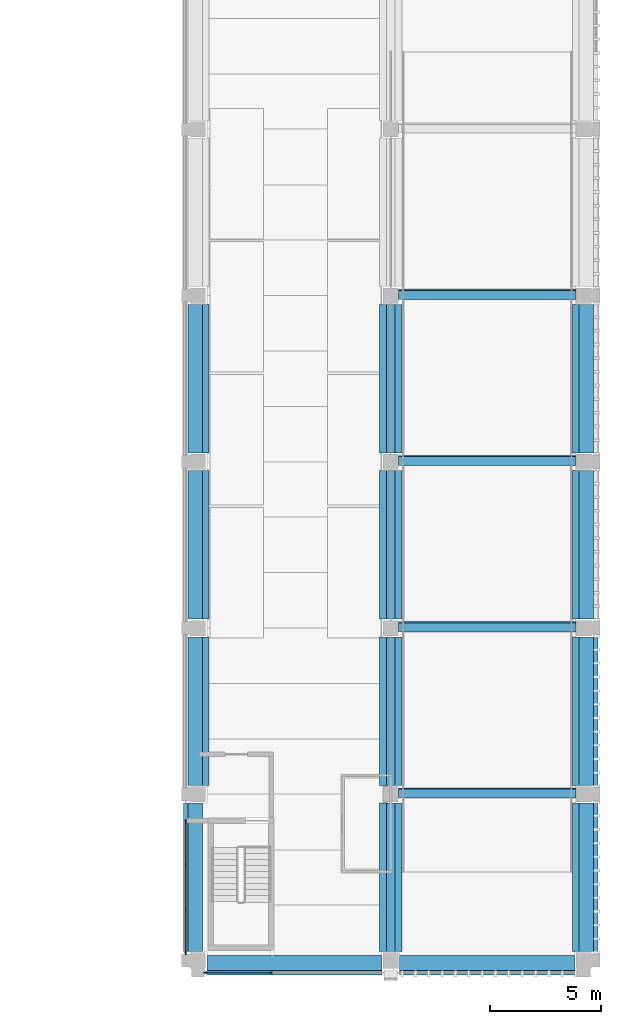
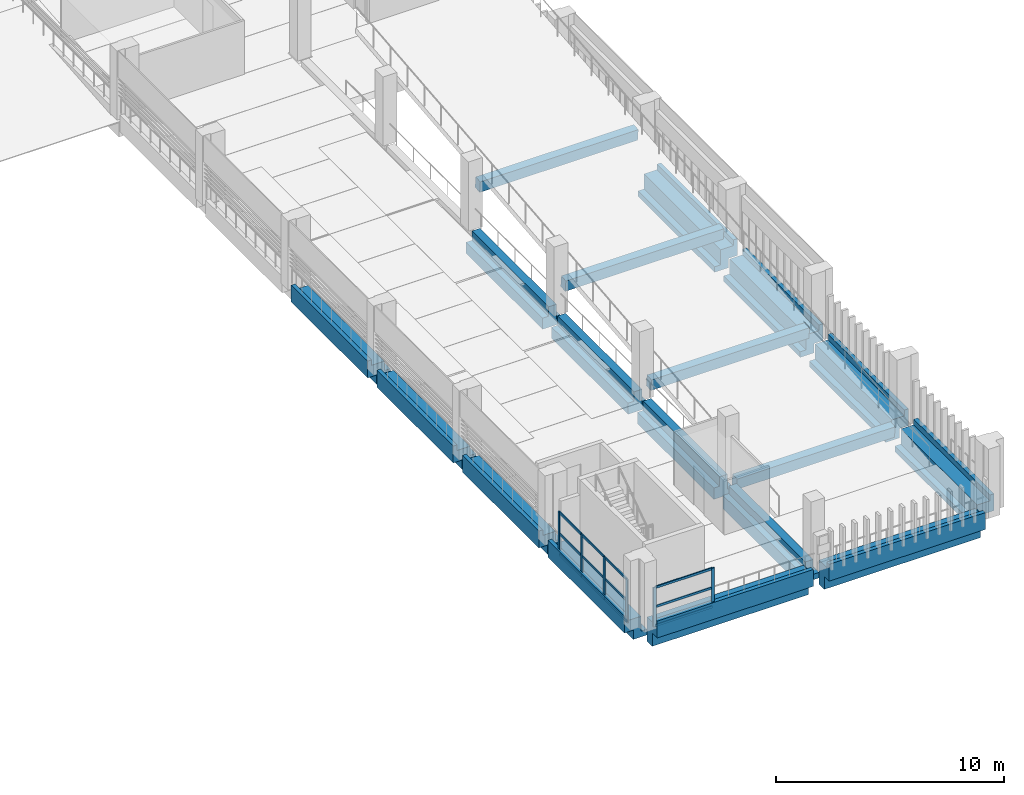
# One storey, part 6 of 24: 18 beams, 18 members, 2 elements without a shape of their own.
"""IFC4 building model written with IfcOpenShell, lengths in metres."""

from ifc_helpers import new_model, si_unit, direction, frame, origin, origin_2d, place, context, subcontext, project, spatial, polyline, rectangle, outline, extrude, material, layer, layer_set, material_profile, profile_set, type_object, element, aggregate, save


model = new_model("IFC4")

# Units and contexts
model_context = context("Model", 3, precision=1e-05, world=origin(), true_north=direction((0.0, 1.0)))
body_context = subcontext(model_context, "Body", "Model", "MODEL_VIEW")
ifc_project = project(units=[si_unit("LENGTHUNIT", "METRE"), si_unit("AREAUNIT", "SQUARE_METRE"), si_unit("VOLUMEUNIT", "CUBIC_METRE"), si_unit("PLANEANGLEUNIT", "RADIAN"), si_unit("MASSUNIT", "GRAM", prefix="KILO")], contexts=[model_context])

# Site, building, storey
site_placement = place(None, origin())
site = spatial("IfcSite", under=ifc_project, at=site_placement, CompositionType="ELEMENT")
building_placement = place(site_placement, origin())
building = spatial("IfcBuilding", under=site, at=building_placement, Name="Cour d'Honneur Mobility Palace", CompositionType="ELEMENT")
storey_placement = place(building_placement, frame((0.0, 0.0, 26.699951171875)))
storey = spatial("IfcBuildingStorey", under=building, at=storey_placement, Name="L07", CompositionType="ELEMENT", Elevation=26.699951171875)

# Curtain wall, members
ifc_material_1 = material(Name="Aluminium and glass", Category="aluminium")
ifc_layer = layer(ifc_material_1, 0.10009765625)
ifc_layer_set = layer_set([ifc_layer], Name="Aluminium and glass")
curtain_wall_type = type_object("IfcCurtainWallType", Name="Curtain wall run", PredefinedType="NOTDEFINED", material=ifc_layer_set)
curtain_wall_1_placement = place(storey_placement, origin())
curtain_wall_1 = element("IfcCurtainWall", 1, at=curtain_wall_1_placement, inside=storey, type_object=curtain_wall_type, Name="Curtain wall CW-147", PredefinedType="NOTDEFINED")
ifc_material_2 = material(Name="Aluminium", Category="aluminium")
ifc_material_profile_1 = material_profile(ifc_material_2, rectangle(XDim=0.06005859375, YDim=0.159912109375, at=origin_2d()), Name="Curtain wall mullion")
ifc_profile_set_1 = profile_set([ifc_material_profile_1], Name="Aluminium")
member_type_1 = type_object("IfcMemberType", Name="Curtain wall mullion", PredefinedType="MULLION", material=ifc_profile_set_1)
member_1_placement = place(storey_placement, frame((145.22998046875, -0.550048828125, 0.0), z_axis=(0.0, 0.0, 1.0), x_axis=(0.0, 1.0, 0.0)))
member_1 = element("IfcMember", 2, at=member_1_placement, type_object=member_type_1, Name="CW-147 mullion 1", PredefinedType="MULLION", context=body_context, shape_type="SweptSolid", body=[
    extrude(rectangle(XDim=0.06005859375, YDim=0.159912109375, at=origin_2d()), origin(), (0.0, 0.0, 1.0), 2.10009765625),
])
member_2_placement = place(storey_placement, frame((148.169921875, -0.550048828125, 0.0), z_axis=(0.0, 0.0, 1.0), x_axis=(0.0, 1.0, 0.0)))
member_2 = element("IfcMember", 3, at=member_2_placement, type_object=member_type_1, Name="CW-147 mullion 2", PredefinedType="MULLION", context=body_context, shape_type="SweptSolid", body=[
    extrude(rectangle(XDim=0.06005859375, YDim=0.159912109375, at=origin_2d()), origin(), (0.0, 0.0, 1.0), 2.10009765625),
])

curtain_wall_2_placement = place(storey_placement, origin())
curtain_wall_2 = element("IfcCurtainWall", 4, at=curtain_wall_2_placement, inside=storey, type_object=curtain_wall_type, Name="Curtain wall CW-148", PredefinedType="NOTDEFINED")
member_3_placement = place(storey_placement, frame((144.35009765625, 6.27001953125, 0.0), z_axis=(0.0, 0.0, 1.0), x_axis=(1.0, 0.0, 0.0)))
member_3 = element("IfcMember", 5, at=member_3_placement, type_object=member_type_1, Name="CW-148 mullion 1", PredefinedType="MULLION", context=body_context, shape_type="SweptSolid", body=[
    extrude(rectangle(XDim=0.06005859375, YDim=0.159912109375, at=origin_2d()), origin(), (0.0, 0.0, 1.0), 2.300048828125),
])
member_4_placement = place(storey_placement, frame((144.35009765625, 4.300048828125, 0.0), z_axis=(0.0, 0.0, 1.0), x_axis=(1.0, 0.0, 0.0)))
member_4 = element("IfcMember", 6, at=member_4_placement, type_object=member_type_1, Name="CW-148 mullion 2", PredefinedType="MULLION", context=body_context, shape_type="SweptSolid", body=[
    extrude(rectangle(XDim=0.06005859375, YDim=0.159912109375, at=origin_2d()), origin(), (0.0, 0.0, 1.0), 2.300048828125),
])
member_5_placement = place(storey_placement, frame((144.35009765625, 2.300048828125, 0.0), z_axis=(0.0, 0.0, 1.0), x_axis=(1.0, 0.0, 0.0)))
member_5 = element("IfcMember", 7, at=member_5_placement, type_object=member_type_1, Name="CW-148 mullion 3", PredefinedType="MULLION", context=body_context, shape_type="SweptSolid", body=[
    extrude(rectangle(XDim=0.06005859375, YDim=0.159912109375, at=origin_2d()), origin(), (0.0, 0.0, 1.0), 2.300048828125),
])
member_6_placement = place(storey_placement, frame((144.35009765625, 0.330078125, 0.0), z_axis=(0.0, 0.0, 1.0), x_axis=(1.0, 0.0, 0.0)))
member_6 = element("IfcMember", 8, at=member_6_placement, type_object=member_type_1, Name="CW-148 mullion 4", PredefinedType="MULLION", context=body_context, shape_type="SweptSolid", body=[
    extrude(rectangle(XDim=0.06005859375, YDim=0.159912109375, at=origin_2d()), origin(), (0.0, 0.0, 1.0), 2.300048828125),
])

# Member
ifc_material_3 = material(Name="Aluminium", Category="aluminium")
ifc_material_profile_2 = material_profile(ifc_material_3, rectangle(XDim=0.06005859375, YDim=0.1201171875, at=origin_2d()), Name="Curtain wall transom")
ifc_profile_set_2 = profile_set([ifc_material_profile_2], Name="Aluminium")
member_type_2 = type_object("IfcMemberType", Name="Curtain wall transom", PredefinedType="USERDEFINED", material=ifc_profile_set_2)
member_7_placement = place(storey_placement, frame((145.260009765625, -0.550048828125, 0.030029296875), z_axis=(1.0, 0.0, 0.0), x_axis=(0.0, 1.0, 0.0)))
member_7 = element("IfcMember", 9, at=member_7_placement, type_object=member_type_2, Name="CW-147 transom 1.1", ObjectType="TRANSOM", PredefinedType="USERDEFINED", context=body_context, shape_type="SweptSolid", body=[
    extrude(rectangle(XDim=0.06005859375, YDim=0.1201171875, at=origin_2d()), origin(), (0.0, 0.0, 1.0), 2.8798828125),
])

member_8_placement = place(storey_placement, frame((145.260009765625, -0.550048828125, 1.050048828125), z_axis=(1.0, 0.0, 0.0), x_axis=(0.0, 1.0, 0.0)))
member_8 = element("IfcMember", 10, at=member_8_placement, type_object=member_type_2, Name="CW-147 transom 1.2", ObjectType="TRANSOM", PredefinedType="USERDEFINED", context=body_context, shape_type="SweptSolid", body=[
    extrude(rectangle(XDim=0.06005859375, YDim=0.1201171875, at=origin_2d()), origin(), (0.0, 0.0, 1.0), 2.8798828125),
])

member_9_placement = place(storey_placement, frame((145.260009765625, -0.550048828125, 2.070068359375), z_axis=(1.0, 0.0, 0.0), x_axis=(0.0, 1.0, 0.0)))
member_9 = element("IfcMember", 11, at=member_9_placement, type_object=member_type_2, Name="CW-147 transom 1.3", ObjectType="TRANSOM", PredefinedType="USERDEFINED", context=body_context, shape_type="SweptSolid", body=[
    extrude(rectangle(XDim=0.06005859375, YDim=0.1201171875, at=origin_2d()), origin(), (0.0, 0.0, 1.0), 2.8798828125),
])

aggregate(curtain_wall_1, [member_1, member_2, member_7, member_8, member_9])

member_10_placement = place(storey_placement, frame((144.35009765625, 6.239990234375, 0.030029296875), z_axis=(0.0, -1.0, 0.0), x_axis=(1.0, 0.0, 0.0)))
member_10 = element("IfcMember", 12, at=member_10_placement, type_object=member_type_2, Name="CW-148 transom 1.1", ObjectType="TRANSOM", PredefinedType="USERDEFINED", context=body_context, shape_type="SweptSolid", body=[
    extrude(rectangle(XDim=0.06005859375, YDim=0.1201171875, at=origin_2d()), origin(), (0.0, 0.0, 1.0), 1.909912109375),
])

member_11_placement = place(storey_placement, frame((144.35009765625, 6.239990234375, 1.150146484375), z_axis=(0.0, -1.0, 0.0), x_axis=(1.0, 0.0, 0.0)))
member_11 = element("IfcMember", 13, at=member_11_placement, type_object=member_type_2, Name="CW-148 transom 1.2", ObjectType="TRANSOM", PredefinedType="USERDEFINED", context=body_context, shape_type="SweptSolid", body=[
    extrude(rectangle(XDim=0.06005859375, YDim=0.1201171875, at=origin_2d()), origin(), (0.0, 0.0, 1.0), 1.909912109375),
])

member_12_placement = place(storey_placement, frame((144.35009765625, 6.239990234375, 2.27001953125), z_axis=(0.0, -1.0, 0.0), x_axis=(1.0, 0.0, 0.0)))
member_12 = element("IfcMember", 14, at=member_12_placement, type_object=member_type_2, Name="CW-148 transom 1.3", ObjectType="TRANSOM", PredefinedType="USERDEFINED", context=body_context, shape_type="SweptSolid", body=[
    extrude(rectangle(XDim=0.06005859375, YDim=0.1201171875, at=origin_2d()), origin(), (0.0, 0.0, 1.0), 1.909912109375),
])

member_13_placement = place(storey_placement, frame((144.35009765625, 4.27001953125, 0.030029296875), z_axis=(0.0, -1.0, 0.0), x_axis=(1.0, 0.0, 0.0)))
member_13 = element("IfcMember", 15, at=member_13_placement, type_object=member_type_2, Name="CW-148 transom 2.1", ObjectType="TRANSOM", PredefinedType="USERDEFINED", context=body_context, shape_type="SweptSolid", body=[
    extrude(rectangle(XDim=0.06005859375, YDim=0.1201171875, at=origin_2d()), origin(), (0.0, 0.0, 1.0), 1.93994140625),
])

member_14_placement = place(storey_placement, frame((144.35009765625, 4.27001953125, 1.150146484375), z_axis=(0.0, -1.0, 0.0), x_axis=(1.0, 0.0, 0.0)))
member_14 = element("IfcMember", 16, at=member_14_placement, type_object=member_type_2, Name="CW-148 transom 2.2", ObjectType="TRANSOM", PredefinedType="USERDEFINED", context=body_context, shape_type="SweptSolid", body=[
    extrude(rectangle(XDim=0.06005859375, YDim=0.1201171875, at=origin_2d()), origin(), (0.0, 0.0, 1.0), 1.93994140625),
])

member_15_placement = place(storey_placement, frame((144.35009765625, 4.27001953125, 2.27001953125), z_axis=(0.0, -1.0, 0.0), x_axis=(1.0, 0.0, 0.0)))
member_15 = element("IfcMember", 17, at=member_15_placement, type_object=member_type_2, Name="CW-148 transom 2.3", ObjectType="TRANSOM", PredefinedType="USERDEFINED", context=body_context, shape_type="SweptSolid", body=[
    extrude(rectangle(XDim=0.06005859375, YDim=0.1201171875, at=origin_2d()), origin(), (0.0, 0.0, 1.0), 1.93994140625),
])

member_16_placement = place(storey_placement, frame((144.35009765625, 2.27001953125, 0.030029296875), z_axis=(0.0, -1.0, 0.0), x_axis=(1.0, 0.0, 0.0)))
member_16 = element("IfcMember", 18, at=member_16_placement, type_object=member_type_2, Name="CW-148 transom 3.1", ObjectType="TRANSOM", PredefinedType="USERDEFINED", context=body_context, shape_type="SweptSolid", body=[
    extrude(rectangle(XDim=0.06005859375, YDim=0.1201171875, at=origin_2d()), origin(), (0.0, 0.0, 1.0), 1.909912109375),
])

member_17_placement = place(storey_placement, frame((144.35009765625, 2.27001953125, 1.150146484375), z_axis=(0.0, -1.0, 0.0), x_axis=(1.0, 0.0, 0.0)))
member_17 = element("IfcMember", 19, at=member_17_placement, type_object=member_type_2, Name="CW-148 transom 3.2", ObjectType="TRANSOM", PredefinedType="USERDEFINED", context=body_context, shape_type="SweptSolid", body=[
    extrude(rectangle(XDim=0.06005859375, YDim=0.1201171875, at=origin_2d()), origin(), (0.0, 0.0, 1.0), 1.909912109375),
])

member_18_placement = place(storey_placement, frame((144.35009765625, 2.27001953125, 2.27001953125), z_axis=(0.0, -1.0, 0.0), x_axis=(1.0, 0.0, 0.0)))
member_18 = element("IfcMember", 20, at=member_18_placement, type_object=member_type_2, Name="CW-148 transom 3.3", ObjectType="TRANSOM", PredefinedType="USERDEFINED", context=body_context, shape_type="SweptSolid", body=[
    extrude(rectangle(XDim=0.06005859375, YDim=0.1201171875, at=origin_2d()), origin(), (0.0, 0.0, 1.0), 1.909912109375),
])

aggregate(curtain_wall_2, [member_3, member_4, member_5, member_6, member_10, member_11, member_12, member_13, member_14, member_15, member_16, member_17, member_18])

# Beams
ifc_material_4 = material(Name="Concrete C45", Category="concrete")
ifc_material_profile_3 = material_profile(ifc_material_4, outline(polyline([(0.22509765625, -1.300048828125), (0.22509765625, 0.0), (-0.22509765625, 0.0), (-0.449951171875, 0.0), (-0.449951171875, 0.300048828125), (-0.64990234375, 0.300048828125), (-0.64990234375, -0.60009765625), (-0.22509765625, -0.60009765625), (-0.22509765625, -1.300048828125), (0.22509765625, -1.300048828125)])), Name="Edge Spandrel Beam 450x1300 no ledge facade right")
ifc_profile_set_3 = profile_set([ifc_material_profile_3], Name="Concrete C45")
beam_type_1 = type_object("IfcBeamType", Name="Edge Spandrel Beam 450x1300 no ledge facade right", PredefinedType="SPANDREL", material=ifc_profile_set_3)
for number, where, z_axis, x_axis, name in (
    (21, (145.300048828125, 0.0, 0.0), (1.0, 0.0, 0.0), (0.0, 1.0, 0.0), "Precast beam B1 19-19A L07"),
    (22, (154.0, 0.0, 0.0), (1.0, 0.0, 0.0), (0.0, 1.0, 0.0), "Precast beam B1 19A-20 L07"),
):
    element("IfcBeam", number, at=place(storey_placement, frame(where, z_axis=z_axis, x_axis=x_axis)), inside=storey, type_object=beam_type_1, Name=name, PredefinedType="SPANDREL", context=body_context, shape_type="SweptSolid", body=[
        extrude(outline(polyline([(0.22509765625, -1.300048828125), (0.22509765625, 0.0), (-0.22509765625, 0.0), (-0.449951171875, 0.0), (-0.449951171875, 0.300048828125), (-0.64990234375, 0.300048828125), (-0.64990234375, -0.60009765625), (-0.22509765625, -0.60009765625), (-0.22509765625, -1.300048828125), (0.22509765625, -1.300048828125)])), origin(), (0.0, 0.0, 1.0), 7.89990234375),
    ])
ifc_material_5 = material(Name="Concrete C45", Category="concrete")
ifc_material_profile_4 = material_profile(ifc_material_5, outline(polyline([(0.5, -1.10009765625), (0.5, -0.5), (0.199951171875, -0.5), (0.199951171875, 0.0), (-0.199951171875, 0.0), (-0.199951171875, -0.800048828125), (-0.5, -0.800048828125), (-0.5, -1.10009765625), (0.5, -1.10009765625)])), Name="Inverted Tee Beam 400x1100 ledges 600/300 plain")
ifc_profile_set_4 = profile_set([ifc_material_profile_4], Name="Concrete C45")
beam_type_2 = type_object("IfcBeamType", Name="Inverted Tee Beam 400x1100 ledges 600/300 plain", PredefinedType="T_BEAM", material=ifc_profile_set_4)
for number, where, z_axis, x_axis, name in (
    (23, (153.60009765625, 7.89990234375, 0.0), (0.0, 1.0, 0.0), (-1.0, 0.0, 0.0), "Precast beam B19 B-C L07"),
    (24, (153.60009765625, 15.39990234375, 0.0), (0.0, 1.0, 0.0), (-1.0, 0.0, 0.0), "Precast beam B19 C-D L07"),
    (25, (153.60009765625, 22.89990234375, 0.0), (0.0, 1.0, 0.0), (-1.0, 0.0, 0.0), "Precast beam B19 D-E L07"),
):
    element("IfcBeam", number, at=place(storey_placement, frame(where, z_axis=z_axis, x_axis=x_axis)), inside=storey, type_object=beam_type_2, Name=name, PredefinedType="T_BEAM", context=body_context, shape_type="SweptSolid", body=[
        extrude(outline(polyline([(0.5, -1.10009765625), (0.5, -0.5), (0.199951171875, -0.5), (0.199951171875, 0.0), (-0.199951171875, 0.0), (-0.199951171875, -0.800048828125), (-0.5, -0.800048828125), (-0.5, -1.10009765625), (0.5, -1.10009765625)])), origin(), (0.0, 0.0, 1.0), 6.7001953125),
    ])
ifc_material_6 = material(Name="Concrete C45", Category="concrete")
ifc_material_profile_5 = material_profile(ifc_material_6, outline(polyline([(0.5, -1.10009765625), (0.5, -0.39990234375), (0.199951171875, -0.39990234375), (0.199951171875, 0.0), (-0.199951171875, 0.0), (-0.199951171875, -0.800048828125), (-0.5, -0.800048828125), (-0.5, -1.10009765625), (0.5, -1.10009765625)])), Name="Inverted Tee Beam 400x1100 ledges 700/300 plain")
ifc_profile_set_5 = profile_set([ifc_material_profile_5], Name="Concrete C45")
beam_type_3 = type_object("IfcBeamType", Name="Inverted Tee Beam 400x1100 ledges 700/300 plain", PredefinedType="T_BEAM", material=ifc_profile_set_5)
beam_1_placement = place(storey_placement, frame((153.60009765625, 0.39990234375, 0.0), z_axis=(0.0, 1.0, 0.0), x_axis=(-1.0, 0.0, 0.0)))
element("IfcBeam", 26, at=beam_1_placement, inside=storey, type_object=beam_type_3, Name="Precast beam B18 A-B L07", PredefinedType="T_BEAM", context=body_context, shape_type="SweptSolid", body=[
    extrude(outline(polyline([(0.5, -1.10009765625), (0.5, -0.39990234375), (0.199951171875, -0.39990234375), (0.199951171875, 0.0), (-0.199951171875, 0.0), (-0.199951171875, -0.800048828125), (-0.5, -0.800048828125), (-0.5, -1.10009765625), (0.5, -1.10009765625)])), origin(), (0.0, 0.0, 1.0), 6.7001953125),
])
ifc_material_7 = material(Name="Concrete C45", Category="concrete")
ifc_material_profile_6 = material_profile(ifc_material_7, outline(polyline([(0.5, -1.10009765625), (0.5, -0.800048828125), (0.199951171875, -0.800048828125), (0.199951171875, 0.0), (-0.199951171875, 0.0), (-0.449951171875, 0.0), (-0.449951171875, 0.300048828125), (-0.64990234375, 0.300048828125), (-0.64990234375, -0.60009765625), (-0.199951171875, -0.60009765625), (-0.199951171875, -1.10009765625), (0.5, -1.10009765625)])), Name="Ledger Beam 400x1100 ledge left 300 facade right")
ifc_profile_set_6 = profile_set([ifc_material_profile_6], Name="Concrete C45")
beam_type_4 = type_object("IfcBeamType", Name="Ledger Beam 400x1100 ledge left 300 facade right", PredefinedType="BEAM", material=ifc_profile_set_6)
for number, where, z_axis, x_axis, name in (
    (27, (162.300048828125, 0.39990234375, 0.0), (0.0, 1.0, 0.0), (-1.0, 0.0, 0.0), "Precast beam B3 A-B L07"),
    (28, (162.300048828125, 7.89990234375, 0.0), (0.0, 1.0, 0.0), (-1.0, 0.0, 0.0), "Precast beam B3 B-C L07"),
    (29, (162.300048828125, 15.39990234375, 0.0), (0.0, 1.0, 0.0), (-1.0, 0.0, 0.0), "Precast beam B3 C-D L07"),
    (30, (162.300048828125, 22.89990234375, 0.0), (0.0, 1.0, 0.0), (-1.0, 0.0, 0.0), "Precast beam B3 D-E L07"),
):
    element("IfcBeam", number, at=place(storey_placement, frame(where, z_axis=z_axis, x_axis=x_axis)), inside=storey, type_object=beam_type_4, Name=name, PredefinedType="BEAM", context=body_context, shape_type="SweptSolid", body=[
        extrude(outline(polyline([(0.5, -1.10009765625), (0.5, -0.800048828125), (0.199951171875, -0.800048828125), (0.199951171875, 0.0), (-0.199951171875, 0.0), (-0.449951171875, 0.0), (-0.449951171875, 0.300048828125), (-0.64990234375, 0.300048828125), (-0.64990234375, -0.60009765625), (-0.199951171875, -0.60009765625), (-0.199951171875, -1.10009765625), (0.5, -1.10009765625)])), origin(), (0.0, 0.0, 1.0), 6.7001953125),
    ])
ifc_material_8 = material(Name="Concrete C45", Category="concrete")
ifc_material_profile_7 = material_profile(ifc_material_8, outline(polyline([(0.199951171875, -1.10009765625), (0.199951171875, -0.60009765625), (0.64990234375, -0.60009765625), (0.64990234375, 0.300048828125), (0.449951171875, 0.300048828125), (0.449951171875, 0.0), (0.199951171875, 0.0), (-0.199951171875, 0.0), (-0.199951171875, -0.800048828125), (-0.5, -0.800048828125), (-0.5, -1.10009765625), (0.199951171875, -1.10009765625)])), Name="Ledger Beam 400x1100 ledge right 300 facade left")
ifc_profile_set_7 = profile_set([ifc_material_profile_7], Name="Concrete C45")
beam_type_5 = type_object("IfcBeamType", Name="Ledger Beam 400x1100 ledge right 300 facade left", PredefinedType="BEAM", material=ifc_profile_set_7)
beam_2_placement = place(storey_placement, frame((144.89990234375, 0.39990234375, 0.0), z_axis=(0.0, 1.0, 0.0), x_axis=(-1.0, 0.0, 0.0)))
element("IfcBeam", 31, at=beam_2_placement, inside=storey, type_object=beam_type_5, Name="Precast beam B6 A-B L07", PredefinedType="BEAM", context=body_context, shape_type="SweptSolid", body=[
    extrude(outline(polyline([(0.199951171875, -1.10009765625), (0.199951171875, -0.60009765625), (0.64990234375, -0.60009765625), (0.64990234375, 0.300048828125), (0.449951171875, 0.300048828125), (0.449951171875, 0.0), (0.199951171875, 0.0), (-0.199951171875, 0.0), (-0.199951171875, -0.800048828125), (-0.5, -0.800048828125), (-0.5, -1.10009765625), (0.199951171875, -1.10009765625)])), origin(), (0.0, 0.0, 1.0), 6.7001953125),
])
ifc_material_9 = material(Name="Concrete C45", Category="concrete")
ifc_material_profile_8 = material_profile(ifc_material_9, outline(polyline([(0.199951171875, -1.10009765625), (0.199951171875, -0.60009765625), (0.64990234375, -0.60009765625), (0.64990234375, 0.300048828125), (0.449951171875, 0.300048828125), (0.449951171875, 0.0), (0.199951171875, 0.0), (-0.199951171875, 0.0), (-0.199951171875, -0.5), (-0.5, -0.5), (-0.5, -1.10009765625), (0.199951171875, -1.10009765625)])), Name="Ledger Beam 400x1100 ledge right 600 facade left")
ifc_profile_set_8 = profile_set([ifc_material_profile_8], Name="Concrete C45")
beam_type_6 = type_object("IfcBeamType", Name="Ledger Beam 400x1100 ledge right 600 facade left", PredefinedType="BEAM", material=ifc_profile_set_8)
for number, where, z_axis, x_axis, name in (
    (32, (144.89990234375, 7.89990234375, 0.0), (0.0, 1.0, 0.0), (-1.0, 0.0, 0.0), "Precast beam B15 B-C L07"),
    (33, (144.89990234375, 15.39990234375, 0.0), (0.0, 1.0, 0.0), (-1.0, 0.0, 0.0), "Precast beam B15 C-D L07"),
    (34, (144.89990234375, 22.89990234375, 0.0), (0.0, 1.0, 0.0), (-1.0, 0.0, 0.0), "Precast beam B15 D-E L07"),
):
    element("IfcBeam", number, at=place(storey_placement, frame(where, z_axis=z_axis, x_axis=x_axis)), inside=storey, type_object=beam_type_6, Name=name, PredefinedType="BEAM", context=body_context, shape_type="SweptSolid", body=[
        extrude(outline(polyline([(0.199951171875, -1.10009765625), (0.199951171875, -0.60009765625), (0.64990234375, -0.60009765625), (0.64990234375, 0.300048828125), (0.449951171875, 0.300048828125), (0.449951171875, 0.0), (0.199951171875, 0.0), (-0.199951171875, 0.0), (-0.199951171875, -0.5), (-0.5, -0.5), (-0.5, -1.10009765625), (0.199951171875, -1.10009765625)])), origin(), (0.0, 0.0, 1.0), 6.7001953125),
    ])
ifc_material_10 = material(Name="Concrete C40", Category="concrete")
ifc_material_profile_9 = material_profile(ifc_material_10, rectangle(XDim=0.39990234375, YDim=0.60009765625, at=origin_2d()), Name="Ramp cross beam 400x600")
ifc_profile_set_9 = profile_set([ifc_material_profile_9], Name="Concrete C40")
beam_type_7 = type_object("IfcBeamType", Name="Ramp cross beam 400x600", PredefinedType="BEAM", material=ifc_profile_set_9)
for number, where, z_axis, x_axis, name in (
    (35, (161.949951171875, 7.559814453125, -0.2470703125), (-1.0, 0.0, 0.0), (0.0, -0.995037190449, -0.099503716633), "Ramp cross beam SE.R7-1"),
    (36, (161.949951171875, 15.059814453125, 0.5029296875), (-1.0, 0.0, 0.0), (0.0, -0.995037190449, -0.099503716633), "Ramp cross beam SE.R7-2"),
    (37, (161.949951171875, 22.559814453125, 1.2529296875), (-1.0, 0.0, 0.0), (0.0, -0.995037190449, -0.099503716633), "Ramp cross beam SE.R7-3"),
    (38, (161.949951171875, 30.059814453125, 2.0029296875), (-1.0, 0.0, 0.0), (0.0, -0.995037190449, -0.099503716633), "Ramp cross beam SE.R7-4"),
):
    element("IfcBeam", number, at=place(storey_placement, frame(where, z_axis=z_axis, x_axis=x_axis)), inside=storey, type_object=beam_type_7, Name=name, PredefinedType="BEAM", context=body_context, shape_type="SweptSolid", body=[
        extrude(rectangle(XDim=0.39990234375, YDim=0.60009765625, at=origin_2d()), origin(), (0.0, 0.0, 1.0), 8.0),
    ])

save(model, "model.ifc")
